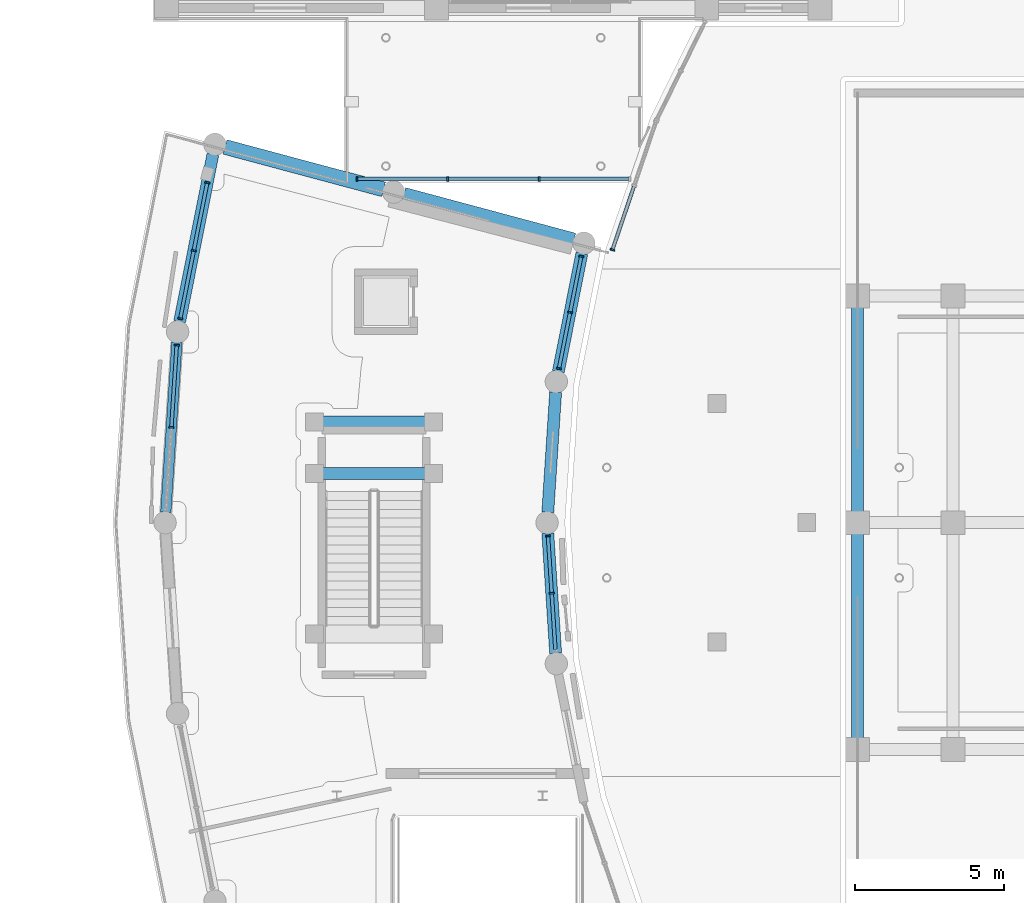
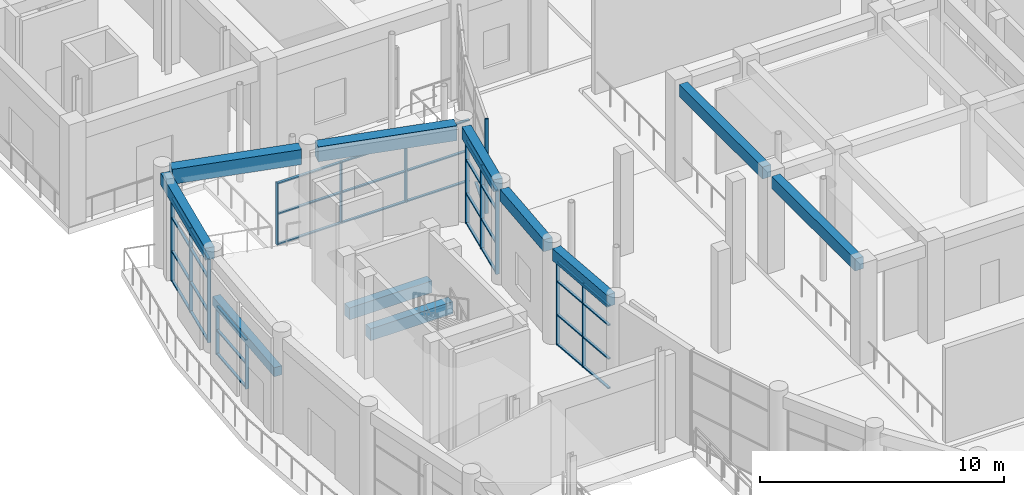
# One storey, part 32 of 99: 51 members, 11 beams, 6 elements without a shape of their own.
"""IFC4 building model written with IfcOpenShell, lengths in metres."""

from ifc_helpers import new_model, si_unit, direction, frame, origin, origin_2d, place, context, subcontext, project, spatial, rectangle, extrude, material, material_profile, profile_set, type_object, element, aggregate, save


model = new_model("IFC4")

# Units and contexts
model_context = context("Model", 3, precision=1e-05, world=origin(), true_north=direction((0.0, 1.0)))
body_context = subcontext(model_context, "Body", "Model", "MODEL_VIEW")
ifc_project = project(units=[si_unit("LENGTHUNIT", "METRE"), si_unit("AREAUNIT", "SQUARE_METRE"), si_unit("VOLUMEUNIT", "CUBIC_METRE"), si_unit("PLANEANGLEUNIT", "RADIAN"), si_unit("MASSUNIT", "GRAM", prefix="KILO")], contexts=[model_context])

# Site, building, storey
site_placement = place(None, origin())
site = spatial("IfcSite", under=ifc_project, at=site_placement, CompositionType="ELEMENT")
building_placement = place(site_placement, origin())
building = spatial("IfcBuilding", under=site, at=building_placement, Name="Saryqyr Civic Hall", CompositionType="ELEMENT")
storey_placement = place(building_placement, origin())
storey = spatial("IfcBuildingStorey", under=building, at=storey_placement, Name="L00", CompositionType="ELEMENT", Elevation=0.0)

# Curtain wall, members
ifc_material_1 = material(Name="Anodised aluminium and triple low-E glass", Category="aluminium")
curtain_wall_type_1 = type_object("IfcCurtainWallType", Name="ENV-CW-STD-01", PredefinedType="NOTDEFINED", material=ifc_material_1)
curtain_wall_1_placement = place(storey_placement, origin())
curtain_wall_1 = element("IfcCurtainWall", 1, at=curtain_wall_1_placement, inside=storey, type_object=curtain_wall_type_1, Name="Curtain wall V4-CWO-L00-00", PredefinedType="NOTDEFINED")
ifc_material_2 = material(Name="Anodised aluminium", Category="aluminium")
ifc_material_profile_1 = material_profile(ifc_material_2, rectangle(XDim=0.06005859375, YDim=0.159912109375, at=origin_2d()), Name="ALU MULLION 60x160")
ifc_profile_set_1 = profile_set([ifc_material_profile_1], Name="Anodised aluminium")
member_type_1 = type_object("IfcMemberType", Name="ENV-CW-MUL-180", PredefinedType="MULLION", material=ifc_profile_set_1)
member_1_placement = place(storey_placement, frame((8.507568359375, 90.84033203125, 0.0), z_axis=(0.0, 0.0, 1.0), x_axis=(0.19510187671, 0.980782981961, 0.0)))
member_1 = element("IfcMember", 2, at=member_1_placement, type_object=member_type_1, Name="CW-01 mullion 1", PredefinedType="MULLION", context=body_context, shape_type="SweptSolid", body=[
    extrude(rectangle(XDim=0.06005859375, YDim=0.159912109375, at=origin_2d()), origin(), (0.0, 0.0, 1.0), 4.195068359375),
])
member_2_placement = place(storey_placement, frame((8.96044921875, 93.116943359375, 0.0), z_axis=(0.0, 0.0, 1.0), x_axis=(0.19510187671, 0.980782981961, 0.0)))
member_2 = element("IfcMember", 3, at=member_2_placement, type_object=member_type_1, Name="CW-01 mullion 2", PredefinedType="MULLION", context=body_context, shape_type="SweptSolid", body=[
    extrude(rectangle(XDim=0.06005859375, YDim=0.159912109375, at=origin_2d()), origin(), (0.0, 0.0, 1.0), 4.195068359375),
])
member_3_placement = place(storey_placement, frame((9.413330078125, 95.3935546875, 0.0), z_axis=(0.0, 0.0, 1.0), x_axis=(0.19510187671, 0.980782981961, 0.0)))
member_3 = element("IfcMember", 4, at=member_3_placement, type_object=member_type_1, Name="CW-01 mullion 3", PredefinedType="MULLION", context=body_context, shape_type="SweptSolid", body=[
    extrude(rectangle(XDim=0.06005859375, YDim=0.159912109375, at=origin_2d()), origin(), (0.0, 0.0, 1.0), 4.195068359375),
])

curtain_wall_type_2 = type_object("IfcCurtainWallType", Name="ENV-CW-STD-02", PredefinedType="NOTDEFINED", material=ifc_material_1)
curtain_wall_2_placement = place(storey_placement, origin())
curtain_wall_2 = element("IfcCurtainWall", 5, at=curtain_wall_2_placement, inside=storey, type_object=curtain_wall_type_2, Name="Curtain wall V4-CWI-L00-00", PredefinedType="NOTDEFINED")
member_4_placement = place(storey_placement, frame((21.945068359375, 92.9248046875, 0.0), z_axis=(0.0, 0.0, 1.0), x_axis=(-0.19511714689, -0.980779944223, 0.0)))
member_4 = element("IfcMember", 6, at=member_4_placement, type_object=member_type_1, Name="CW-02 mullion 1", PredefinedType="MULLION", context=body_context, shape_type="SweptSolid", body=[
    extrude(rectangle(XDim=0.06005859375, YDim=0.159912109375, at=origin_2d()), origin(), (0.0, 0.0, 1.0), 4.195068359375),
])
member_5_placement = place(storey_placement, frame((21.571533203125, 91.047119140625, 0.0), z_axis=(0.0, 0.0, 1.0), x_axis=(-0.19511714689, -0.980779944223, 0.0)))
member_5 = element("IfcMember", 7, at=member_5_placement, type_object=member_type_1, Name="CW-02 mullion 2", PredefinedType="MULLION", context=body_context, shape_type="SweptSolid", body=[
    extrude(rectangle(XDim=0.06005859375, YDim=0.159912109375, at=origin_2d()), origin(), (0.0, 0.0, 1.0), 4.195068359375),
])
member_6_placement = place(storey_placement, frame((21.197998046875, 89.16943359375, 0.0), z_axis=(0.0, 0.0, 1.0), x_axis=(-0.19511714689, -0.980779944223, 0.0)))
member_6 = element("IfcMember", 8, at=member_6_placement, type_object=member_type_1, Name="CW-02 mullion 3", PredefinedType="MULLION", context=body_context, shape_type="SweptSolid", body=[
    extrude(rectangle(XDim=0.06005859375, YDim=0.159912109375, at=origin_2d()), origin(), (0.0, 0.0, 1.0), 4.195068359375),
])

curtain_wall_type_3 = type_object("IfcCurtainWallType", Name="ENV-CW-STD-03", PredefinedType="NOTDEFINED", material=ifc_material_1)
curtain_wall_3_placement = place(storey_placement, origin())
curtain_wall_3 = element("IfcCurtainWall", 9, at=curtain_wall_3_placement, inside=storey, type_object=curtain_wall_type_3, Name="Curtain wall V4-CWO-L00-01", PredefinedType="NOTDEFINED")
member_7_placement = place(storey_placement, frame((8.209716796875, 87.197998046875, 0.0), z_axis=(0.0, 0.0, 1.0), x_axis=(0.065402806948, 0.997858944362, 0.0)))
member_7 = element("IfcMember", 10, at=member_7_placement, type_object=member_type_1, Name="CW-03 mullion 2", PredefinedType="MULLION", context=body_context, shape_type="SweptSolid", body=[
    extrude(rectangle(XDim=0.06005859375, YDim=0.159912109375, at=origin_2d()), origin(), (0.0, 0.0, 1.0), 2.449951171875),
])
member_8_placement = place(storey_placement, frame((8.39013671875, 89.950927734375, 0.0), z_axis=(0.0, 0.0, 1.0), x_axis=(0.065402806948, 0.997858944362, 0.0)))
member_8 = element("IfcMember", 11, at=member_8_placement, type_object=member_type_1, Name="CW-03 mullion 3", PredefinedType="MULLION", context=body_context, shape_type="SweptSolid", body=[
    extrude(rectangle(XDim=0.06005859375, YDim=0.159912109375, at=origin_2d()), origin(), (0.0, 0.0, 1.0), 2.449951171875),
])

curtain_wall_4_placement = place(storey_placement, origin())
curtain_wall_4 = element("IfcCurtainWall", 12, at=curtain_wall_4_placement, inside=storey, type_object=curtain_wall_type_2, Name="Curtain wall V4-CWI-L00-02", PredefinedType="NOTDEFINED")
member_9_placement = place(storey_placement, frame((20.8291015625, 83.55517578125, 0.0), z_axis=(0.0, 0.0, 1.0), x_axis=(0.065405224139, -0.997858785929, 0.0)))
member_9 = element("IfcMember", 13, at=member_9_placement, type_object=member_type_1, Name="CW-02 mullion 1", PredefinedType="MULLION", context=body_context, shape_type="SweptSolid", body=[
    extrude(rectangle(XDim=0.06005859375, YDim=0.159912109375, at=origin_2d()), origin(), (0.0, 0.0, 1.0), 4.195068359375),
])
member_10_placement = place(storey_placement, frame((20.954833984375, 81.637451171875, 0.0), z_axis=(0.0, 0.0, 1.0), x_axis=(0.065405224139, -0.997858785929, 0.0)))
member_10 = element("IfcMember", 14, at=member_10_placement, type_object=member_type_1, Name="CW-02 mullion 2", PredefinedType="MULLION", context=body_context, shape_type="SweptSolid", body=[
    extrude(rectangle(XDim=0.06005859375, YDim=0.159912109375, at=origin_2d()), origin(), (0.0, 0.0, 1.0), 4.195068359375),
])

# Curtain wall, member
curtain_wall_type_4 = type_object("IfcCurtainWallType", Name="ENV-CW-STD-67", PredefinedType="NOTDEFINED", material=ifc_material_1)
curtain_wall_5_placement = place(storey_placement, origin())
curtain_wall_5 = element("IfcCurtainWall", 15, at=curtain_wall_5_placement, inside=storey, type_object=curtain_wall_type_4, Name="Curtain wall V2-PERIM-CW-L00-21", PredefinedType="NOTDEFINED")
member_11_placement = place(storey_placement, frame((22.98974609375, 93.14404296875, 0.0), z_axis=(0.0, 0.0, 1.0), x_axis=(0.321445459178, 0.946928094828, 0.0)))
member_11 = element("IfcMember", 16, at=member_11_placement, type_object=member_type_1, Name="CW-67 mullion 1", PredefinedType="MULLION", context=body_context, shape_type="SweptSolid", body=[
    extrude(rectangle(XDim=0.06005859375, YDim=0.159912109375, at=origin_2d()), origin(), (0.0, 0.0, 1.0), 4.75),
])

# Curtain wall, members
curtain_wall_type_5 = type_object("IfcCurtainWallType", Name="ENV-CW-STD-82", PredefinedType="NOTDEFINED", material=ifc_material_1)
curtain_wall_6_placement = place(storey_placement, origin())
curtain_wall_6 = element("IfcCurtainWall", 17, at=curtain_wall_6_placement, inside=storey, type_object=curtain_wall_type_5, Name="Curtain wall BR-NW-CW1-L00", PredefinedType="NOTDEFINED")
member_12_placement = place(storey_placement, frame((20.533447265625, 95.52001953125, 0.0), z_axis=(0.0, 0.0, 1.0), x_axis=(-1.0, 0.0, 0.0)))
member_12 = element("IfcMember", 18, at=member_12_placement, type_object=member_type_1, Name="CW-82 mullion 2", PredefinedType="MULLION", context=body_context, shape_type="SweptSolid", body=[
    extrude(rectangle(XDim=0.06005859375, YDim=0.159912109375, at=origin_2d()), origin(), (0.0, 0.0, 1.0), 3.10009765625),
])
member_13_placement = place(storey_placement, frame((17.466552734375, 95.52001953125, 0.0), z_axis=(0.0, 0.0, 1.0), x_axis=(-1.0, 0.0, 0.0)))
member_13 = element("IfcMember", 19, at=member_13_placement, type_object=member_type_1, Name="CW-82 mullion 3", PredefinedType="MULLION", context=body_context, shape_type="SweptSolid", body=[
    extrude(rectangle(XDim=0.06005859375, YDim=0.159912109375, at=origin_2d()), origin(), (0.0, 0.0, 1.0), 3.10009765625),
])
member_14_placement = place(storey_placement, frame((14.429931640625, 95.52001953125, 0.0), z_axis=(0.0, 0.0, 1.0), x_axis=(-1.0, 0.0, 0.0)))
member_14 = element("IfcMember", 20, at=member_14_placement, type_object=member_type_1, Name="CW-82 mullion 4", PredefinedType="MULLION", context=body_context, shape_type="SweptSolid", body=[
    extrude(rectangle(XDim=0.06005859375, YDim=0.159912109375, at=origin_2d()), origin(), (0.0, 0.0, 1.0), 3.10009765625),
])

# Member
ifc_material_profile_2 = material_profile(ifc_material_2, rectangle(XDim=0.1201171875, YDim=0.06005859375, at=origin_2d()), Name="ALU TRANSOM 120x60")
ifc_profile_set_2 = profile_set([ifc_material_profile_2], Name="Anodised aluminium")
member_type_2 = type_object("IfcMemberType", Name="ENV-CW-TRN-150", PredefinedType="USERDEFINED", material=ifc_profile_set_2)
member_15_placement = place(storey_placement, frame((8.513427734375, 90.86962890625, 0.030029296875), z_axis=(0.195077978877, 0.980787735526, 0.0), x_axis=(-0.980787735526, 0.195077978877, 0.0)))
member_15 = element("IfcMember", 21, at=member_15_placement, type_object=member_type_2, Name="CW-01 transom 1.1", ObjectType="TRANSOM", PredefinedType="USERDEFINED", context=body_context, shape_type="SweptSolid", body=[
    extrude(rectangle(XDim=0.1201171875, YDim=0.06005859375, at=origin_2d()), origin(), (0.0, 0.0, 1.0), 2.261474609375),
])

member_16_placement = place(storey_placement, frame((8.513427734375, 90.86962890625, 1.510009765625), z_axis=(0.195077978877, 0.980787735526, 0.0), x_axis=(-0.980787735526, 0.195077978877, 0.0)))
member_16 = element("IfcMember", 22, at=member_16_placement, type_object=member_type_2, Name="CW-01 transom 1.2", ObjectType="TRANSOM", PredefinedType="USERDEFINED", context=body_context, shape_type="SweptSolid", body=[
    extrude(rectangle(XDim=0.1201171875, YDim=0.06005859375, at=origin_2d()), origin(), (0.0, 0.0, 1.0), 2.261474609375),
])

member_17_placement = place(storey_placement, frame((8.513427734375, 90.86962890625, 3.18798828125), z_axis=(0.195077978877, 0.980787735526, 0.0), x_axis=(-0.980787735526, 0.195077978877, 0.0)))
member_17 = element("IfcMember", 23, at=member_17_placement, type_object=member_type_2, Name="CW-01 transom 1.3", ObjectType="TRANSOM", PredefinedType="USERDEFINED", context=body_context, shape_type="SweptSolid", body=[
    extrude(rectangle(XDim=0.1201171875, YDim=0.06005859375, at=origin_2d()), origin(), (0.0, 0.0, 1.0), 2.261474609375),
])

member_18_placement = place(storey_placement, frame((8.513427734375, 90.86962890625, 4.1650390625), z_axis=(0.195077978877, 0.980787735526, 0.0), x_axis=(-0.980787735526, 0.195077978877, 0.0)))
member_18 = element("IfcMember", 24, at=member_18_placement, type_object=member_type_2, Name="CW-01 transom 1.4", ObjectType="TRANSOM", PredefinedType="USERDEFINED", context=body_context, shape_type="SweptSolid", body=[
    extrude(rectangle(XDim=0.1201171875, YDim=0.06005859375, at=origin_2d()), origin(), (0.0, 0.0, 1.0), 2.261474609375),
])

member_19_placement = place(storey_placement, frame((8.96630859375, 93.146484375, 0.030029296875), z_axis=(0.195098636409, 0.980783626531, 0.0), x_axis=(-0.980783626531, 0.195098636409, 0.0)))
member_19 = element("IfcMember", 25, at=member_19_placement, type_object=member_type_2, Name="CW-01 transom 2.1", ObjectType="TRANSOM", PredefinedType="USERDEFINED", context=body_context, shape_type="SweptSolid", body=[
    extrude(rectangle(XDim=0.1201171875, YDim=0.06005859375, at=origin_2d()), origin(), (0.0, 0.0, 1.0), 2.26123046875),
])

member_20_placement = place(storey_placement, frame((8.96630859375, 93.146484375, 1.510009765625), z_axis=(0.195098636409, 0.980783626531, 0.0), x_axis=(-0.980783626531, 0.195098636409, 0.0)))
member_20 = element("IfcMember", 26, at=member_20_placement, type_object=member_type_2, Name="CW-01 transom 2.2", ObjectType="TRANSOM", PredefinedType="USERDEFINED", context=body_context, shape_type="SweptSolid", body=[
    extrude(rectangle(XDim=0.1201171875, YDim=0.06005859375, at=origin_2d()), origin(), (0.0, 0.0, 1.0), 2.26123046875),
])

member_21_placement = place(storey_placement, frame((8.96630859375, 93.146484375, 3.18798828125), z_axis=(0.195098636409, 0.980783626531, 0.0), x_axis=(-0.980783626531, 0.195098636409, 0.0)))
member_21 = element("IfcMember", 27, at=member_21_placement, type_object=member_type_2, Name="CW-01 transom 2.3", ObjectType="TRANSOM", PredefinedType="USERDEFINED", context=body_context, shape_type="SweptSolid", body=[
    extrude(rectangle(XDim=0.1201171875, YDim=0.06005859375, at=origin_2d()), origin(), (0.0, 0.0, 1.0), 2.26123046875),
])

member_22_placement = place(storey_placement, frame((8.96630859375, 93.146484375, 4.1650390625), z_axis=(0.195098636409, 0.980783626531, 0.0), x_axis=(-0.980783626531, 0.195098636409, 0.0)))
member_22 = element("IfcMember", 28, at=member_22_placement, type_object=member_type_2, Name="CW-01 transom 2.4", ObjectType="TRANSOM", PredefinedType="USERDEFINED", context=body_context, shape_type="SweptSolid", body=[
    extrude(rectangle(XDim=0.1201171875, YDim=0.06005859375, at=origin_2d()), origin(), (0.0, 0.0, 1.0), 2.26123046875),
])

aggregate(curtain_wall_1, [member_1, member_2, member_3, member_15, member_16, member_17, member_18, member_19, member_20, member_21, member_22])

member_23_placement = place(storey_placement, frame((21.939208984375, 92.895263671875, 0.030029296875), z_axis=(-0.195103348377, -0.980782689209, 0.0), x_axis=(0.980782689209, -0.195103348377, 0.0)))
member_23 = element("IfcMember", 29, at=member_23_placement, type_object=member_type_2, Name="CW-02 transom 1.1", ObjectType="TRANSOM", PredefinedType="USERDEFINED", context=body_context, shape_type="SweptSolid", body=[
    extrude(rectangle(XDim=0.1201171875, YDim=0.06005859375, at=origin_2d()), origin(), (0.0, 0.0, 1.0), 1.8544921875),
])

member_24_placement = place(storey_placement, frame((21.939208984375, 92.895263671875, 1.510009765625), z_axis=(-0.195103348377, -0.980782689209, 0.0), x_axis=(0.980782689209, -0.195103348377, 0.0)))
member_24 = element("IfcMember", 30, at=member_24_placement, type_object=member_type_2, Name="CW-02 transom 1.2", ObjectType="TRANSOM", PredefinedType="USERDEFINED", context=body_context, shape_type="SweptSolid", body=[
    extrude(rectangle(XDim=0.1201171875, YDim=0.06005859375, at=origin_2d()), origin(), (0.0, 0.0, 1.0), 1.8544921875),
])

member_25_placement = place(storey_placement, frame((21.939208984375, 92.895263671875, 3.18798828125), z_axis=(-0.195103348377, -0.980782689209, 0.0), x_axis=(0.980782689209, -0.195103348377, 0.0)))
member_25 = element("IfcMember", 31, at=member_25_placement, type_object=member_type_2, Name="CW-02 transom 1.3", ObjectType="TRANSOM", PredefinedType="USERDEFINED", context=body_context, shape_type="SweptSolid", body=[
    extrude(rectangle(XDim=0.1201171875, YDim=0.06005859375, at=origin_2d()), origin(), (0.0, 0.0, 1.0), 1.8544921875),
])

member_26_placement = place(storey_placement, frame((21.939208984375, 92.895263671875, 4.1650390625), z_axis=(-0.195103348377, -0.980782689209, 0.0), x_axis=(0.980782689209, -0.195103348377, 0.0)))
member_26 = element("IfcMember", 32, at=member_26_placement, type_object=member_type_2, Name="CW-02 transom 1.4", ObjectType="TRANSOM", PredefinedType="USERDEFINED", context=body_context, shape_type="SweptSolid", body=[
    extrude(rectangle(XDim=0.1201171875, YDim=0.06005859375, at=origin_2d()), origin(), (0.0, 0.0, 1.0), 1.8544921875),
])

member_27_placement = place(storey_placement, frame((21.565673828125, 91.017578125, 0.030029296875), z_axis=(-0.195103348377, -0.980782689209, 0.0), x_axis=(0.980782689209, -0.195103348377, 0.0)))
member_27 = element("IfcMember", 33, at=member_27_placement, type_object=member_type_2, Name="CW-02 transom 2.1", ObjectType="TRANSOM", PredefinedType="USERDEFINED", context=body_context, shape_type="SweptSolid", body=[
    extrude(rectangle(XDim=0.1201171875, YDim=0.06005859375, at=origin_2d()), origin(), (0.0, 0.0, 1.0), 1.8544921875),
])

member_28_placement = place(storey_placement, frame((21.565673828125, 91.017578125, 1.510009765625), z_axis=(-0.195103348377, -0.980782689209, 0.0), x_axis=(0.980782689209, -0.195103348377, 0.0)))
member_28 = element("IfcMember", 34, at=member_28_placement, type_object=member_type_2, Name="CW-02 transom 2.2", ObjectType="TRANSOM", PredefinedType="USERDEFINED", context=body_context, shape_type="SweptSolid", body=[
    extrude(rectangle(XDim=0.1201171875, YDim=0.06005859375, at=origin_2d()), origin(), (0.0, 0.0, 1.0), 1.8544921875),
])

member_29_placement = place(storey_placement, frame((21.565673828125, 91.017578125, 3.18798828125), z_axis=(-0.195103348377, -0.980782689209, 0.0), x_axis=(0.980782689209, -0.195103348377, 0.0)))
member_29 = element("IfcMember", 35, at=member_29_placement, type_object=member_type_2, Name="CW-02 transom 2.3", ObjectType="TRANSOM", PredefinedType="USERDEFINED", context=body_context, shape_type="SweptSolid", body=[
    extrude(rectangle(XDim=0.1201171875, YDim=0.06005859375, at=origin_2d()), origin(), (0.0, 0.0, 1.0), 1.8544921875),
])

member_30_placement = place(storey_placement, frame((21.565673828125, 91.017578125, 4.1650390625), z_axis=(-0.195103348377, -0.980782689209, 0.0), x_axis=(0.980782689209, -0.195103348377, 0.0)))
member_30 = element("IfcMember", 36, at=member_30_placement, type_object=member_type_2, Name="CW-02 transom 2.4", ObjectType="TRANSOM", PredefinedType="USERDEFINED", context=body_context, shape_type="SweptSolid", body=[
    extrude(rectangle(XDim=0.1201171875, YDim=0.06005859375, at=origin_2d()), origin(), (0.0, 0.0, 1.0), 1.8544921875),
])

aggregate(curtain_wall_2, [member_4, member_5, member_6, member_23, member_24, member_25, member_26, member_27, member_28, member_29, member_30])

member_31_placement = place(storey_placement, frame((8.211669921875, 87.227783203125, 0.030029296875), z_axis=(0.065402234061, 0.997858981911, 0.0), x_axis=(-0.997858981911, 0.065402234061, 0.0)))
member_31 = element("IfcMember", 37, at=member_31_placement, type_object=member_type_2, Name="CW-03 transom 2.1", ObjectType="TRANSOM", PredefinedType="USERDEFINED", context=body_context, shape_type="SweptSolid", body=[
    extrude(rectangle(XDim=0.1201171875, YDim=0.06005859375, at=origin_2d()), origin(), (0.0, 0.0, 1.0), 2.698974609375),
])

member_32_placement = place(storey_placement, frame((8.211669921875, 87.227783203125, 1.22509765625), z_axis=(0.065402234061, 0.997858981911, 0.0), x_axis=(-0.997858981911, 0.065402234061, 0.0)))
member_32 = element("IfcMember", 38, at=member_32_placement, type_object=member_type_2, Name="CW-03 transom 2.2", ObjectType="TRANSOM", PredefinedType="USERDEFINED", context=body_context, shape_type="SweptSolid", body=[
    extrude(rectangle(XDim=0.1201171875, YDim=0.06005859375, at=origin_2d()), origin(), (0.0, 0.0, 1.0), 2.698974609375),
])

member_33_placement = place(storey_placement, frame((8.211669921875, 87.227783203125, 2.419921875), z_axis=(0.065402234061, 0.997858981911, 0.0), x_axis=(-0.997858981911, 0.065402234061, 0.0)))
member_33 = element("IfcMember", 39, at=member_33_placement, type_object=member_type_2, Name="CW-03 transom 2.3", ObjectType="TRANSOM", PredefinedType="USERDEFINED", context=body_context, shape_type="SweptSolid", body=[
    extrude(rectangle(XDim=0.1201171875, YDim=0.06005859375, at=origin_2d()), origin(), (0.0, 0.0, 1.0), 2.698974609375),
])

aggregate(curtain_wall_3, [member_7, member_8, member_31, member_32, member_33])

member_34_placement = place(storey_placement, frame((20.8310546875, 83.525146484375, 0.030029296875), z_axis=(0.065439664533, -0.997856527917, 0.0), x_axis=(0.997856527917, 0.065439664533, 0.0)))
member_34 = element("IfcMember", 40, at=member_34_placement, type_object=member_type_2, Name="CW-02 transom 1.1", ObjectType="TRANSOM", PredefinedType="USERDEFINED", context=body_context, shape_type="SweptSolid", body=[
    extrude(rectangle(XDim=0.1201171875, YDim=0.06005859375, at=origin_2d()), origin(), (0.0, 0.0, 1.0), 1.861572265625),
])

member_35_placement = place(storey_placement, frame((20.8310546875, 83.525146484375, 1.510009765625), z_axis=(0.065439664533, -0.997856527917, 0.0), x_axis=(0.997856527917, 0.065439664533, 0.0)))
member_35 = element("IfcMember", 41, at=member_35_placement, type_object=member_type_2, Name="CW-02 transom 1.2", ObjectType="TRANSOM", PredefinedType="USERDEFINED", context=body_context, shape_type="SweptSolid", body=[
    extrude(rectangle(XDim=0.1201171875, YDim=0.06005859375, at=origin_2d()), origin(), (0.0, 0.0, 1.0), 1.861572265625),
])

member_36_placement = place(storey_placement, frame((20.8310546875, 83.525146484375, 3.18798828125), z_axis=(0.065439664533, -0.997856527917, 0.0), x_axis=(0.997856527917, 0.065439664533, 0.0)))
member_36 = element("IfcMember", 42, at=member_36_placement, type_object=member_type_2, Name="CW-02 transom 1.3", ObjectType="TRANSOM", PredefinedType="USERDEFINED", context=body_context, shape_type="SweptSolid", body=[
    extrude(rectangle(XDim=0.1201171875, YDim=0.06005859375, at=origin_2d()), origin(), (0.0, 0.0, 1.0), 1.861572265625),
])

member_37_placement = place(storey_placement, frame((20.8310546875, 83.525146484375, 4.1650390625), z_axis=(0.065439664533, -0.997856527917, 0.0), x_axis=(0.997856527917, 0.065439664533, 0.0)))
member_37 = element("IfcMember", 43, at=member_37_placement, type_object=member_type_2, Name="CW-02 transom 1.4", ObjectType="TRANSOM", PredefinedType="USERDEFINED", context=body_context, shape_type="SweptSolid", body=[
    extrude(rectangle(XDim=0.1201171875, YDim=0.06005859375, at=origin_2d()), origin(), (0.0, 0.0, 1.0), 1.861572265625),
])

member_38_placement = place(storey_placement, frame((20.956787109375, 81.607666015625, 0.030029296875), z_axis=(0.065431102183, -0.997857089401, 0.0), x_axis=(0.997857089401, 0.065431102183, 0.0)))
member_38 = element("IfcMember", 44, at=member_38_placement, type_object=member_type_2, Name="CW-02 transom 2.1", ObjectType="TRANSOM", PredefinedType="USERDEFINED", context=body_context, shape_type="SweptSolid", body=[
    extrude(rectangle(XDim=0.1201171875, YDim=0.06005859375, at=origin_2d()), origin(), (0.0, 0.0, 1.0), 1.86181640625),
])

member_39_placement = place(storey_placement, frame((20.956787109375, 81.607666015625, 1.510009765625), z_axis=(0.065431102183, -0.997857089401, 0.0), x_axis=(0.997857089401, 0.065431102183, 0.0)))
member_39 = element("IfcMember", 45, at=member_39_placement, type_object=member_type_2, Name="CW-02 transom 2.2", ObjectType="TRANSOM", PredefinedType="USERDEFINED", context=body_context, shape_type="SweptSolid", body=[
    extrude(rectangle(XDim=0.1201171875, YDim=0.06005859375, at=origin_2d()), origin(), (0.0, 0.0, 1.0), 1.86181640625),
])

member_40_placement = place(storey_placement, frame((20.956787109375, 81.607666015625, 3.18798828125), z_axis=(0.065431102183, -0.997857089401, 0.0), x_axis=(0.997857089401, 0.065431102183, 0.0)))
member_40 = element("IfcMember", 46, at=member_40_placement, type_object=member_type_2, Name="CW-02 transom 2.3", ObjectType="TRANSOM", PredefinedType="USERDEFINED", context=body_context, shape_type="SweptSolid", body=[
    extrude(rectangle(XDim=0.1201171875, YDim=0.06005859375, at=origin_2d()), origin(), (0.0, 0.0, 1.0), 1.86181640625),
])

member_41_placement = place(storey_placement, frame((20.956787109375, 81.607666015625, 4.1650390625), z_axis=(0.065431102183, -0.997857089401, 0.0), x_axis=(0.997857089401, 0.065431102183, 0.0)))
member_41 = element("IfcMember", 47, at=member_41_placement, type_object=member_type_2, Name="CW-02 transom 2.4", ObjectType="TRANSOM", PredefinedType="USERDEFINED", context=body_context, shape_type="SweptSolid", body=[
    extrude(rectangle(XDim=0.1201171875, YDim=0.06005859375, at=origin_2d()), origin(), (0.0, 0.0, 1.0), 1.86181640625),
])

aggregate(curtain_wall_4, [member_9, member_10, member_34, member_35, member_36, member_37, member_38, member_39, member_40, member_41])

member_42_placement = place(storey_placement, frame((22.999267578125, 93.17236328125, 0.030029296875), z_axis=(0.321483543904, 0.946915165682, 0.0), x_axis=(-0.946915165682, 0.321483543904, 0.0)))
member_42 = element("IfcMember", 48, at=member_42_placement, type_object=member_type_2, Name="CW-67 transom 1.1", ObjectType="TRANSOM", PredefinedType="USERDEFINED", context=body_context, shape_type="SweptSolid", body=[
    extrude(rectangle(XDim=0.1201171875, YDim=0.06005859375, at=origin_2d()), origin(), (0.0, 0.0, 1.0), 2.213623046875),
])

aggregate(curtain_wall_5, [member_11, member_42])

member_43_placement = place(storey_placement, frame((23.5400390625, 95.52001953125, 0.030029296875), z_axis=(-1.0, 0.0, 0.0), x_axis=(0.0, -1.0, 0.0)))
member_43 = element("IfcMember", 49, at=member_43_placement, type_object=member_type_2, Name="CW-82 transom 1.1", ObjectType="TRANSOM", PredefinedType="USERDEFINED", context=body_context, shape_type="SweptSolid", body=[
    extrude(rectangle(XDim=0.1201171875, YDim=0.06005859375, at=origin_2d()), origin(), (0.0, 0.0, 1.0), 2.976806640625),
])

member_44_placement = place(storey_placement, frame((23.5400390625, 95.52001953125, 1.550048828125), z_axis=(-1.0, 0.0, 0.0), x_axis=(0.0, -1.0, 0.0)))
member_44 = element("IfcMember", 50, at=member_44_placement, type_object=member_type_2, Name="CW-82 transom 1.2", ObjectType="TRANSOM", PredefinedType="USERDEFINED", context=body_context, shape_type="SweptSolid", body=[
    extrude(rectangle(XDim=0.1201171875, YDim=0.06005859375, at=origin_2d()), origin(), (0.0, 0.0, 1.0), 2.976806640625),
])

member_45_placement = place(storey_placement, frame((23.5400390625, 95.52001953125, 3.070068359375), z_axis=(-1.0, 0.0, 0.0), x_axis=(0.0, -1.0, 0.0)))
member_45 = element("IfcMember", 51, at=member_45_placement, type_object=member_type_2, Name="CW-82 transom 1.3", ObjectType="TRANSOM", PredefinedType="USERDEFINED", context=body_context, shape_type="SweptSolid", body=[
    extrude(rectangle(XDim=0.1201171875, YDim=0.06005859375, at=origin_2d()), origin(), (0.0, 0.0, 1.0), 2.976806640625),
])

member_46_placement = place(storey_placement, frame((20.50341796875, 95.52001953125, 0.030029296875), z_axis=(-1.0, 0.0, 0.0), x_axis=(0.0, -1.0, 0.0)))
member_46 = element("IfcMember", 52, at=member_46_placement, type_object=member_type_2, Name="CW-82 transom 2.1", ObjectType="TRANSOM", PredefinedType="USERDEFINED", context=body_context, shape_type="SweptSolid", body=[
    extrude(rectangle(XDim=0.1201171875, YDim=0.06005859375, at=origin_2d()), origin(), (0.0, 0.0, 1.0), 3.0068359375),
])

member_47_placement = place(storey_placement, frame((20.50341796875, 95.52001953125, 1.550048828125), z_axis=(-1.0, 0.0, 0.0), x_axis=(0.0, -1.0, 0.0)))
member_47 = element("IfcMember", 53, at=member_47_placement, type_object=member_type_2, Name="CW-82 transom 2.2", ObjectType="TRANSOM", PredefinedType="USERDEFINED", context=body_context, shape_type="SweptSolid", body=[
    extrude(rectangle(XDim=0.1201171875, YDim=0.06005859375, at=origin_2d()), origin(), (0.0, 0.0, 1.0), 3.0068359375),
])

member_48_placement = place(storey_placement, frame((20.50341796875, 95.52001953125, 3.070068359375), z_axis=(-1.0, 0.0, 0.0), x_axis=(0.0, -1.0, 0.0)))
member_48 = element("IfcMember", 54, at=member_48_placement, type_object=member_type_2, Name="CW-82 transom 2.3", ObjectType="TRANSOM", PredefinedType="USERDEFINED", context=body_context, shape_type="SweptSolid", body=[
    extrude(rectangle(XDim=0.1201171875, YDim=0.06005859375, at=origin_2d()), origin(), (0.0, 0.0, 1.0), 3.0068359375),
])

member_49_placement = place(storey_placement, frame((17.436767578125, 95.52001953125, 0.030029296875), z_axis=(-1.0, 0.0, 0.0), x_axis=(0.0, -1.0, 0.0)))
member_49 = element("IfcMember", 55, at=member_49_placement, type_object=member_type_2, Name="CW-82 transom 3.1", ObjectType="TRANSOM", PredefinedType="USERDEFINED", context=body_context, shape_type="SweptSolid", body=[
    extrude(rectangle(XDim=0.1201171875, YDim=0.06005859375, at=origin_2d()), origin(), (0.0, 0.0, 1.0), 2.976806640625),
])

member_50_placement = place(storey_placement, frame((17.436767578125, 95.52001953125, 1.550048828125), z_axis=(-1.0, 0.0, 0.0), x_axis=(0.0, -1.0, 0.0)))
member_50 = element("IfcMember", 56, at=member_50_placement, type_object=member_type_2, Name="CW-82 transom 3.2", ObjectType="TRANSOM", PredefinedType="USERDEFINED", context=body_context, shape_type="SweptSolid", body=[
    extrude(rectangle(XDim=0.1201171875, YDim=0.06005859375, at=origin_2d()), origin(), (0.0, 0.0, 1.0), 2.976806640625),
])

member_51_placement = place(storey_placement, frame((17.436767578125, 95.52001953125, 3.070068359375), z_axis=(-1.0, 0.0, 0.0), x_axis=(0.0, -1.0, 0.0)))
member_51 = element("IfcMember", 57, at=member_51_placement, type_object=member_type_2, Name="CW-82 transom 3.3", ObjectType="TRANSOM", PredefinedType="USERDEFINED", context=body_context, shape_type="SweptSolid", body=[
    extrude(rectangle(XDim=0.1201171875, YDim=0.06005859375, at=origin_2d()), origin(), (0.0, 0.0, 1.0), 2.976806640625),
])

aggregate(curtain_wall_6, [member_12, member_13, member_14, member_43, member_44, member_45, member_46, member_47, member_48, member_49, member_50, member_51])

# Beams
ifc_material_3 = material(Name="Concrete C35/45", Category="concrete")
ifc_material_profile_3 = material_profile(ifc_material_3, rectangle(XDim=0.39990234375, YDim=0.60009765625, at=origin_2d()), Name="RC 400x600")
ifc_profile_set_3 = profile_set([ifc_material_profile_3], Name="Concrete C35/45")
beam_type_1 = type_object("IfcBeamType", Name="STR-BM-RC400x600", PredefinedType="BEAM", material=ifc_profile_set_3)
for number, where, z_axis, x_axis, name in (
    (58, (31.199951171875, 76.77490234375, 4.52001953125), (0.0, 1.0, 0.0), (-1.0, 0.0, 0.0), "Beam V1-TBM-13-L00"),
    (59, (31.199951171875, 84.375, 4.52001953125), (0.0, 1.0, 0.0), (-1.0, 0.0, 0.0), "Beam V1-TBM-14-L00"),
):
    element("IfcBeam", number, at=place(storey_placement, frame(where, z_axis=z_axis, x_axis=x_axis)), inside=storey, type_object=beam_type_1, Name=name, PredefinedType="BEAM", context=body_context, shape_type="SweptSolid", body=[
        extrude(rectangle(XDim=0.39990234375, YDim=0.60009765625, at=origin_2d()), origin(), (0.0, 0.0, 1.0), 6.85009765625),
    ])
for number, where, z_axis, x_axis, name in (
    (60, (16.949951171875, 85.64990234375, 2.050048828125), (-1.0, 0.0, 0.0), (0.0, -1.0, 0.0), "Stair half-landing support beam ST-4-LND1-L00"),
    (61, (16.949951171875, 87.3798828125, 2.050048828125), (-1.0, 0.0, 0.0), (0.0, -1.0, 0.0), "Stair half-landing support beam ST-4-LND2-L00"),
):
    element("IfcBeam", number, at=place(storey_placement, frame(where, z_axis=z_axis, x_axis=x_axis)), inside=storey, type_object=beam_type_1, Name=name, PredefinedType="BEAM", context=body_context, shape_type="SweptSolid", body=[
        extrude(rectangle(XDim=0.39990234375, YDim=0.60009765625, at=origin_2d()), origin(), (0.0, 0.0, 1.0), 3.89990234375),
    ])
ifc_material_profile_4 = material_profile(ifc_material_3, rectangle(XDim=0.39990234375, YDim=0.60009765625, at=origin_2d()), Name="RC 400x600")
ifc_profile_set_4 = profile_set([ifc_material_profile_4], Name="Concrete C35/45")
beam_type_2 = type_object("IfcBeamType", Name="STR-BM-RC400x600-EXT", PredefinedType="BEAM", material=ifc_profile_set_4)
beam_1_placement = place(storey_placement, frame((21.965087890625, 93.02587890625, 4.52001953125), z_axis=(-0.195068817634, -0.980789557646, 0.0), x_axis=(0.980789557646, -0.195068817634, 0.0)))
element("IfcBeam", 62, at=beam_1_placement, inside=storey, type_object=beam_type_2, Name="Beam V4-CBM-IN00-L00", PredefinedType="BEAM", context=body_context, shape_type="SweptSolid", body=[
    extrude(rectangle(XDim=0.39990234375, YDim=0.60009765625, at=origin_2d()), origin(), (0.0, 0.0, 1.0), 4.03515625),
])
beam_2_placement = place(storey_placement, frame((9.601318359375, 96.3388671875, 4.52001953125), z_axis=(-0.195071690094, -0.980788986339, 0.0), x_axis=(0.980788986339, -0.195071690094, 0.0)))
element("IfcBeam", 63, at=beam_2_placement, inside=storey, type_object=beam_type_2, Name="Beam V4-CBM-OUT00-L00", PredefinedType="BEAM", context=body_context, shape_type="SweptSolid", body=[
    extrude(rectangle(XDim=0.39990234375, YDim=0.60009765625, at=origin_2d()), origin(), (0.0, 0.0, 1.0), 5.70947265625),
])
for number, where, z_axis, x_axis, name in (
    (64, (21.0869140625, 88.375732421875, 4.52001953125), (-0.065406576025, -0.997858697318, 0.0), (0.997858697318, -0.065406576025, 0.0), "Beam V4-CBM-IN01-L00"),
    (65, (20.822998046875, 83.650634765625, 4.52001953125), (0.065406576025, -0.997858697318, 0.0), (0.997858697318, 0.065406576025, 0.0), "Beam V4-CBM-IN02-L00"),
):
    element("IfcBeam", number, at=place(storey_placement, frame(where, z_axis=z_axis, x_axis=x_axis)), inside=storey, type_object=beam_type_2, Name=name, PredefinedType="BEAM", context=body_context, shape_type="SweptSolid", body=[
        extrude(rectangle(XDim=0.39990234375, YDim=0.60009765625, at=origin_2d()), origin(), (0.0, 0.0, 1.0), 4.034912109375),
    ])
ifc_material_4 = material(Name="Concrete C40/50", Category="concrete")
ifc_material_profile_5 = material_profile(ifc_material_4, rectangle(XDim=0.5, YDim=0.75, at=origin_2d()), Name="RC 500x750")
ifc_profile_set_5 = profile_set([ifc_material_profile_5], Name="Concrete C40/50")
beam_type_3 = type_object("IfcBeamType", Name="STR-BM-RC500x750", PredefinedType="BEAM", material=ifc_profile_set_5)
beam_3_placement = place(storey_placement, frame((21.6953125, 93.459716796875, 4.445068359375), z_axis=(-0.965920343576, 0.258839506001, 0.0), x_axis=(-0.258839506001, -0.965920343576, 0.0)))
element("IfcBeam", 66, at=beam_3_placement, inside=storey, type_object=beam_type_3, Name="Beam V4-RBM-A00-L00", PredefinedType="BEAM", context=body_context, shape_type="SweptSolid", body=[
    extrude(rectangle(XDim=0.5, YDim=0.75, at=origin_2d()), origin(), (0.0, 0.0, 1.0), 5.89990234375),
])
beam_4_placement = place(storey_placement, frame((15.3203125, 95.168212890625, 4.445068359375), z_axis=(-0.965932200741, 0.258795254151, 0.0), x_axis=(-0.258795254151, -0.965932200741, 0.0)))
element("IfcBeam", 67, at=beam_4_placement, inside=storey, type_object=beam_type_3, Name="Beam V4-RBM-B00-L00", PredefinedType="BEAM", context=body_context, shape_type="SweptSolid", body=[
    extrude(rectangle(XDim=0.5, YDim=0.75, at=origin_2d()), origin(), (0.0, 0.0, 1.0), 5.499755859375),
])
ifc_material_5 = material(Name="Precast concrete C40/50", Category="concrete")
ifc_material_profile_6 = material_profile(ifc_material_5, rectangle(XDim=0.35009765625, YDim=0.449951171875, at=origin_2d()), Name="RC 350x450")
ifc_profile_set_6 = profile_set([ifc_material_profile_6], Name="Precast concrete C40/50")
beam_type_4 = type_object("IfcBeamType", Name="STR-LIN-RC350x450", PredefinedType="LINTEL", material=ifc_profile_set_6)
beam_5_placement = place(storey_placement, frame((8.396240234375, 90.04638671875, 2.655029296875), z_axis=(-0.065383682973, -0.997860197623, 0.0), x_axis=(0.997860197623, -0.065383682973, 0.0)))
element("IfcBeam", 68, at=beam_5_placement, inside=storey, type_object=beam_type_4, Name="Beam V4-LIN-01-L00", PredefinedType="LINTEL", context=body_context, shape_type="SweptSolid", body=[
    extrude(rectangle(XDim=0.35009765625, YDim=0.449951171875, at=origin_2d()), origin(), (0.0, 0.0, 1.0), 5.709228515625),
])

save(model, "model.ifc")
